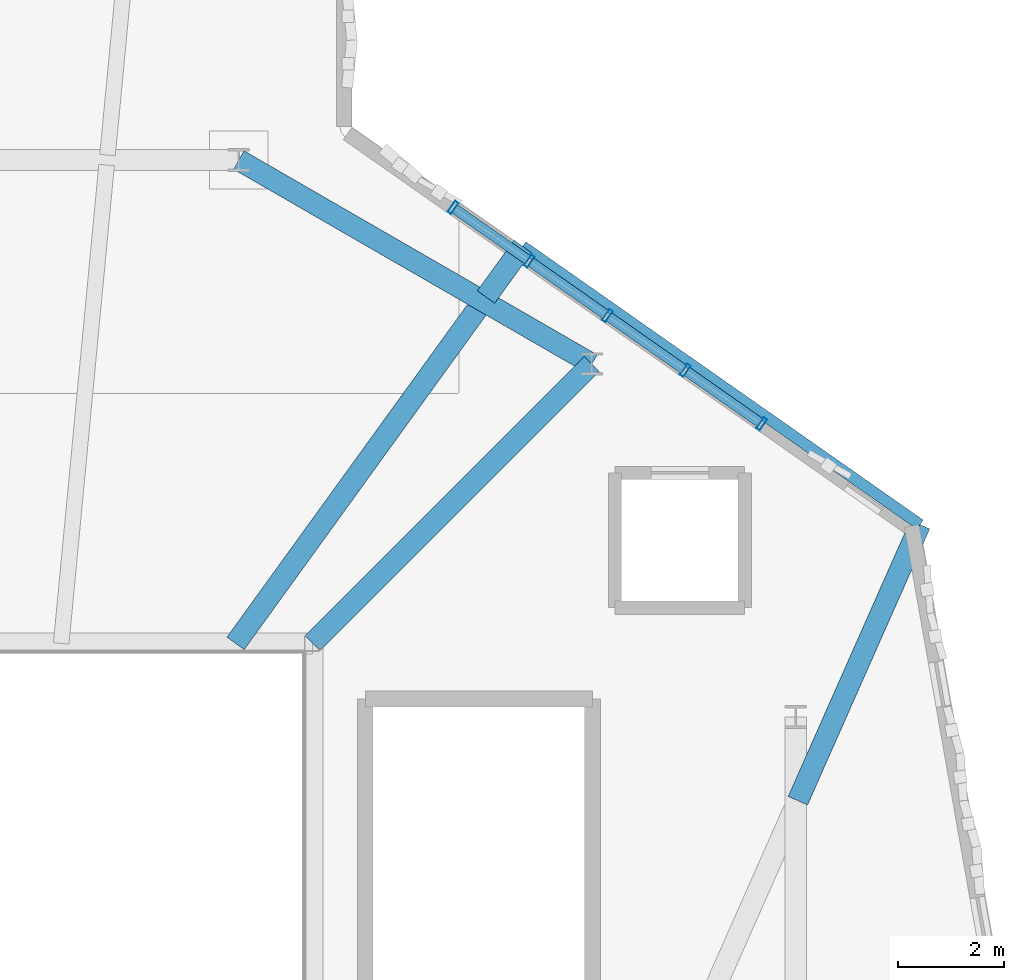
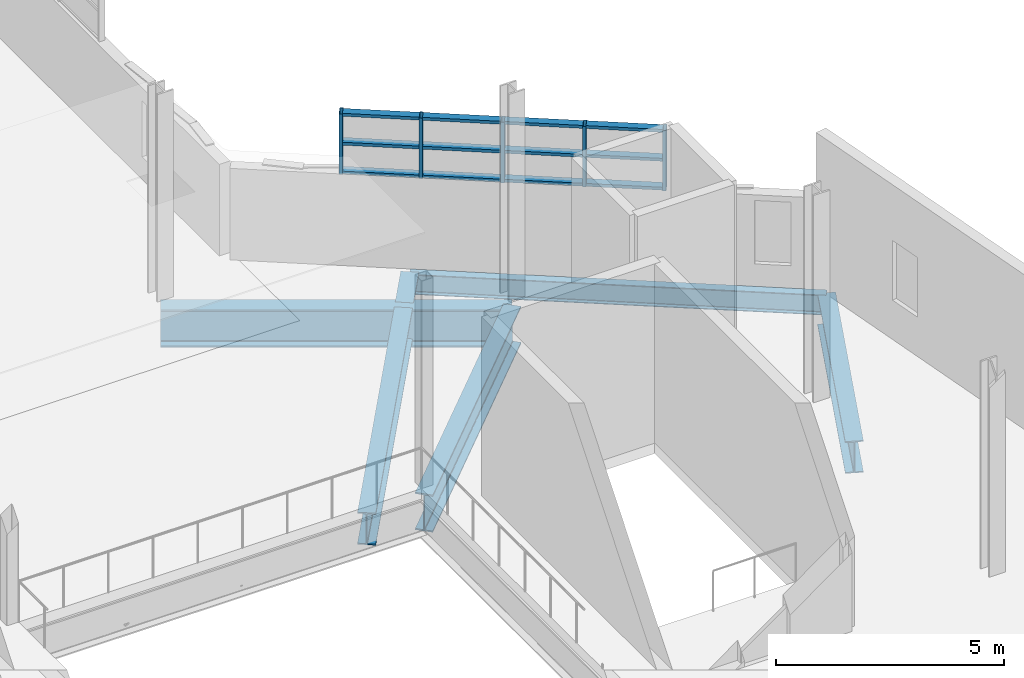
# One storey, part 10 of 36: 17 members, 6 beams, 1 element without a shape of its own.
"""IFC4 building model written with IfcOpenShell, lengths in metres."""

from ifc_helpers import new_model, si_unit, direction, frame, origin, origin_2d, place, context, subcontext, project, spatial, hollow_rectangle, i_section, extrude, material, layer, layer_set, material_profile, profile_set, type_object, element, aggregate, save


model = new_model("IFC4")

# Units and contexts
model_context = context("Model", 3, precision=1e-05, world=origin(), true_north=direction((0.0, 1.0)))
body_context = subcontext(model_context, "Body", "Model", "MODEL_VIEW")
ifc_project = project(units=[si_unit("LENGTHUNIT", "METRE"), si_unit("AREAUNIT", "SQUARE_METRE"), si_unit("VOLUMEUNIT", "CUBIC_METRE"), si_unit("PLANEANGLEUNIT", "RADIAN"), si_unit("MASSUNIT", "GRAM", prefix="KILO"), si_unit("THERMODYNAMICTEMPERATUREUNIT", "KELVIN"), si_unit("POWERUNIT", "WATT")], contexts=[model_context])

# Site, building, storey
site_placement = place(None, origin())
site = spatial("IfcSite", under=ifc_project, at=site_placement, CompositionType="ELEMENT")
building_placement = place(site_placement, origin())
building = spatial("IfcBuilding", under=site, at=building_placement, Name="Zelmaris Science Centre", CompositionType="ELEMENT")
storey_placement = place(building_placement, frame((0.0, 0.0, 25.199951171875)))
storey = spatial("IfcBuildingStorey", under=building, at=storey_placement, Name="L05", CompositionType="ELEMENT", Elevation=25.199951171875)

# Curtain wall, members
ifc_material_1 = material(Name="Anodised architectural aluminium 6063-T6", Category="aluminium")
ifc_layer = layer(ifc_material_1, 0.18994140625, Name="Anodised architectural aluminium 6063-T6")
ifc_layer_set = layer_set([ifc_layer], Name="Anodised architectural aluminium 6063-T6")
curtain_wall_type = type_object("IfcCurtainWallType", Name="Curtain Wall CW-01", PredefinedType="USERDEFINED", material=ifc_layer_set)
curtain_wall_placement = place(storey_placement, origin())
curtain_wall = element("IfcCurtainWall", 1, at=curtain_wall_placement, inside=storey, type_object=curtain_wall_type, Name="L05 Clerestory curtain wall 369", ObjectType="GLAZED CURTAIN WALL", PredefinedType="USERDEFINED")
ifc_material_profile_1 = material_profile(ifc_material_1, hollow_rectangle(XDim=0.080078125, YDim=0.25, WallThickness=0.0048828125, at=origin_2d()), Name="ALU-MUL-80X250")
ifc_profile_set_1 = profile_set([ifc_material_profile_1], Name="Anodised architectural aluminium 6063-T6")
member_type_1 = type_object("IfcMemberType", Name="ALU-MUL-80X250", PredefinedType="MULLION", material=ifc_profile_set_1)
member_1_placement = place(storey_placement, frame((88.90966796875, 49.493408203125, 2.420166015625), z_axis=(0.0, 0.0, 1.0), x_axis=(0.818852609922, -0.574003835548, 0.0)))
member_1 = element("IfcMember", 2, at=member_1_placement, type_object=member_type_1, Name="CW-01 mullion 1", PredefinedType="MULLION", context=body_context, shape_type="SweptSolid", body=[
    extrude(hollow_rectangle(XDim=0.080078125, YDim=0.25, WallThickness=0.0048828125, at=origin_2d()), origin(), (0.0, 0.0, 1.0), 1.619873046875),
])
member_2_placement = place(storey_placement, frame((90.35400390625, 48.48095703125, 2.420166015625), z_axis=(0.0, 0.0, 1.0), x_axis=(0.818852609922, -0.574003835548, 0.0)))
member_2 = element("IfcMember", 3, at=member_2_placement, type_object=member_type_1, Name="CW-01 mullion 2", PredefinedType="MULLION", context=body_context, shape_type="SweptSolid", body=[
    extrude(hollow_rectangle(XDim=0.080078125, YDim=0.25, WallThickness=0.0048828125, at=origin_2d()), origin(), (0.0, 0.0, 1.0), 1.619873046875),
])
member_3_placement = place(storey_placement, frame((91.828125, 47.44775390625, 2.420166015625), z_axis=(0.0, 0.0, 1.0), x_axis=(0.818852609922, -0.574003835548, 0.0)))
member_3 = element("IfcMember", 4, at=member_3_placement, type_object=member_type_1, Name="CW-01 mullion 3", PredefinedType="MULLION", context=body_context, shape_type="SweptSolid", body=[
    extrude(hollow_rectangle(XDim=0.080078125, YDim=0.25, WallThickness=0.0048828125, at=origin_2d()), origin(), (0.0, 0.0, 1.0), 1.619873046875),
])
member_4_placement = place(storey_placement, frame((93.302001953125, 46.41455078125, 2.420166015625), z_axis=(0.0, 0.0, 1.0), x_axis=(0.818852609922, -0.574003835548, 0.0)))
member_4 = element("IfcMember", 5, at=member_4_placement, type_object=member_type_1, Name="CW-01 mullion 4", PredefinedType="MULLION", context=body_context, shape_type="SweptSolid", body=[
    extrude(hollow_rectangle(XDim=0.080078125, YDim=0.25, WallThickness=0.0048828125, at=origin_2d()), origin(), (0.0, 0.0, 1.0), 1.619873046875),
])
member_5_placement = place(storey_placement, frame((94.746337890625, 45.40185546875, 2.420166015625), z_axis=(0.0, 0.0, 1.0), x_axis=(0.818852609922, -0.574003835548, 0.0)))
member_5 = element("IfcMember", 6, at=member_5_placement, type_object=member_type_1, Name="CW-01 mullion 5", PredefinedType="MULLION", context=body_context, shape_type="SweptSolid", body=[
    extrude(hollow_rectangle(XDim=0.080078125, YDim=0.25, WallThickness=0.0048828125, at=origin_2d()), origin(), (0.0, 0.0, 1.0), 1.619873046875),
])
ifc_material_profile_2 = material_profile(ifc_material_1, hollow_rectangle(XDim=0.080078125, YDim=0.18994140625, WallThickness=0.00439453125, at=origin_2d()), Name="ALU-TRN-80X190")
ifc_profile_set_2 = profile_set([ifc_material_profile_2], Name="Anodised architectural aluminium 6063-T6")
member_type_2 = type_object("IfcMemberType", Name="ALU-TRN-80X190", PredefinedType="USERDEFINED", material=ifc_profile_set_2)
member_6_placement = place(storey_placement, frame((88.939208984375, 49.47265625, 2.4560546875), z_axis=(0.818858911519, -0.573994845819, 0.0), x_axis=(0.0, 0.0, 1.0)))
member_6 = element("IfcMember", 7, at=member_6_placement, type_object=member_type_2, Name="CW-01 transom 1.1", ObjectType="TRANSOM", PredefinedType="USERDEFINED", context=body_context, shape_type="SweptSolid", body=[
    extrude(hollow_rectangle(XDim=0.080078125, YDim=0.18994140625, WallThickness=0.00439453125, at=origin_2d()), origin(), (0.0, 0.0, 1.0), 1.69189453125),
])
member_7_placement = place(storey_placement, frame((88.939208984375, 49.47265625, 3.22998046875), z_axis=(0.818858911519, -0.573994845819, 0.0), x_axis=(0.0, 0.0, 1.0)))
member_7 = element("IfcMember", 8, at=member_7_placement, type_object=member_type_2, Name="CW-01 transom 1.2", ObjectType="TRANSOM", PredefinedType="USERDEFINED", context=body_context, shape_type="SweptSolid", body=[
    extrude(hollow_rectangle(XDim=0.080078125, YDim=0.18994140625, WallThickness=0.00439453125, at=origin_2d()), origin(), (0.0, 0.0, 1.0), 1.69189453125),
])
member_8_placement = place(storey_placement, frame((88.939208984375, 49.47265625, 4.004150390625), z_axis=(0.818858911519, -0.573994845819, 0.0), x_axis=(0.0, 0.0, 1.0)))
member_8 = element("IfcMember", 9, at=member_8_placement, type_object=member_type_2, Name="CW-01 transom 1.3", ObjectType="TRANSOM", PredefinedType="USERDEFINED", context=body_context, shape_type="SweptSolid", body=[
    extrude(hollow_rectangle(XDim=0.080078125, YDim=0.18994140625, WallThickness=0.00439453125, at=origin_2d()), origin(), (0.0, 0.0, 1.0), 1.69189453125),
])
member_9_placement = place(storey_placement, frame((90.383544921875, 48.460205078125, 2.4560546875), z_axis=(0.818846777329, -0.574012156019, 0.0), x_axis=(0.0, 0.0, 1.0)))
member_9 = element("IfcMember", 10, at=member_9_placement, type_object=member_type_2, Name="CW-01 transom 2.1", ObjectType="TRANSOM", PredefinedType="USERDEFINED", context=body_context, shape_type="SweptSolid", body=[
    extrude(hollow_rectangle(XDim=0.080078125, YDim=0.18994140625, WallThickness=0.00439453125, at=origin_2d()), origin(), (0.0, 0.0, 1.0), 1.72802734375),
])
member_10_placement = place(storey_placement, frame((90.383544921875, 48.460205078125, 3.22998046875), z_axis=(0.818846777329, -0.574012156019, 0.0), x_axis=(0.0, 0.0, 1.0)))
member_10 = element("IfcMember", 11, at=member_10_placement, type_object=member_type_2, Name="CW-01 transom 2.2", ObjectType="TRANSOM", PredefinedType="USERDEFINED", context=body_context, shape_type="SweptSolid", body=[
    extrude(hollow_rectangle(XDim=0.080078125, YDim=0.18994140625, WallThickness=0.00439453125, at=origin_2d()), origin(), (0.0, 0.0, 1.0), 1.72802734375),
])
member_11_placement = place(storey_placement, frame((90.383544921875, 48.460205078125, 4.004150390625), z_axis=(0.818846777329, -0.574012156019, 0.0), x_axis=(0.0, 0.0, 1.0)))
member_11 = element("IfcMember", 12, at=member_11_placement, type_object=member_type_2, Name="CW-01 transom 2.3", ObjectType="TRANSOM", PredefinedType="USERDEFINED", context=body_context, shape_type="SweptSolid", body=[
    extrude(hollow_rectangle(XDim=0.080078125, YDim=0.18994140625, WallThickness=0.00439453125, at=origin_2d()), origin(), (0.0, 0.0, 1.0), 1.72802734375),
])
member_12_placement = place(storey_placement, frame((91.857421875, 47.427001953125, 2.4560546875), z_axis=(0.818846777329, -0.574012156019, 0.0), x_axis=(0.0, 0.0, 1.0)))
member_12 = element("IfcMember", 13, at=member_12_placement, type_object=member_type_2, Name="CW-01 transom 3.1", ObjectType="TRANSOM", PredefinedType="USERDEFINED", context=body_context, shape_type="SweptSolid", body=[
    extrude(hollow_rectangle(XDim=0.080078125, YDim=0.18994140625, WallThickness=0.00439453125, at=origin_2d()), origin(), (0.0, 0.0, 1.0), 1.72802734375),
])
member_13_placement = place(storey_placement, frame((91.857421875, 47.427001953125, 3.22998046875), z_axis=(0.818846777329, -0.574012156019, 0.0), x_axis=(0.0, 0.0, 1.0)))
member_13 = element("IfcMember", 14, at=member_13_placement, type_object=member_type_2, Name="CW-01 transom 3.2", ObjectType="TRANSOM", PredefinedType="USERDEFINED", context=body_context, shape_type="SweptSolid", body=[
    extrude(hollow_rectangle(XDim=0.080078125, YDim=0.18994140625, WallThickness=0.00439453125, at=origin_2d()), origin(), (0.0, 0.0, 1.0), 1.72802734375),
])
member_14_placement = place(storey_placement, frame((91.857421875, 47.427001953125, 4.004150390625), z_axis=(0.818846777329, -0.574012156019, 0.0), x_axis=(0.0, 0.0, 1.0)))
member_14 = element("IfcMember", 15, at=member_14_placement, type_object=member_type_2, Name="CW-01 transom 3.3", ObjectType="TRANSOM", PredefinedType="USERDEFINED", context=body_context, shape_type="SweptSolid", body=[
    extrude(hollow_rectangle(XDim=0.080078125, YDim=0.18994140625, WallThickness=0.00439453125, at=origin_2d()), origin(), (0.0, 0.0, 1.0), 1.72802734375),
])
member_15_placement = place(storey_placement, frame((93.33154296875, 46.393798828125, 2.4560546875), z_axis=(0.818858911519, -0.573994845819, 0.0), x_axis=(0.0, 0.0, 1.0)))
member_15 = element("IfcMember", 16, at=member_15_placement, type_object=member_type_2, Name="CW-01 transom 4.1", ObjectType="TRANSOM", PredefinedType="USERDEFINED", context=body_context, shape_type="SweptSolid", body=[
    extrude(hollow_rectangle(XDim=0.080078125, YDim=0.18994140625, WallThickness=0.00439453125, at=origin_2d()), origin(), (0.0, 0.0, 1.0), 1.69189453125),
])
member_16_placement = place(storey_placement, frame((93.33154296875, 46.393798828125, 3.22998046875), z_axis=(0.818858911519, -0.573994845819, 0.0), x_axis=(0.0, 0.0, 1.0)))
member_16 = element("IfcMember", 17, at=member_16_placement, type_object=member_type_2, Name="CW-01 transom 4.2", ObjectType="TRANSOM", PredefinedType="USERDEFINED", context=body_context, shape_type="SweptSolid", body=[
    extrude(hollow_rectangle(XDim=0.080078125, YDim=0.18994140625, WallThickness=0.00439453125, at=origin_2d()), origin(), (0.0, 0.0, 1.0), 1.69189453125),
])
member_17_placement = place(storey_placement, frame((93.33154296875, 46.393798828125, 4.004150390625), z_axis=(0.818858911519, -0.573994845819, 0.0), x_axis=(0.0, 0.0, 1.0)))
member_17 = element("IfcMember", 18, at=member_17_placement, type_object=member_type_2, Name="CW-01 transom 4.3", ObjectType="TRANSOM", PredefinedType="USERDEFINED", context=body_context, shape_type="SweptSolid", body=[
    extrude(hollow_rectangle(XDim=0.080078125, YDim=0.18994140625, WallThickness=0.00439453125, at=origin_2d()), origin(), (0.0, 0.0, 1.0), 1.69189453125),
])
aggregate(curtain_wall, [member_1, member_2, member_3, member_4, member_5, member_6, member_7, member_8, member_9, member_10, member_11, member_12, member_13, member_14, member_15, member_16, member_17])

# Beams
ifc_material_2 = material(Name="Steel ASTM A992 Grade 50", Category="steel")
ifc_material_profile_3 = material_profile(ifc_material_2, i_section(OverallWidth=0.40087890625, OverallDepth=0.85595703125, WebThickness=0.018310546875, FlangeThickness=0.029296875, FilletRadius=0.02001953125, at=origin_2d()), Name="W33X201")
ifc_profile_set_3 = profile_set([ifc_material_profile_3], Name="Steel ASTM A992 Grade 50")
beam_type_1 = type_object("IfcBeamType", Name="Beam G-05 W33X201", PredefinedType="BEAM", material=ifc_profile_set_3)
beam_1_placement = place(storey_placement, frame((95.430908203125, 38.2744140625, -0.7080078125), z_axis=(0.404761760912, 0.914422176516, 0.0), x_axis=(-0.914422176516, 0.404761760912, 0.0)))
element("IfcBeam", 19, at=beam_1_placement, inside=storey, type_object=beam_type_1, Name="L05 Radial overhang girder 4", PredefinedType="BEAM", context=body_context, shape_type="SweptSolid", body=[
    extrude(i_section(OverallWidth=0.40087890625, OverallDepth=0.85595703125, WebThickness=0.018310546875, FlangeThickness=0.029296875, FilletRadius=0.02001953125, at=origin_2d()), origin(), (0.0, 0.0, 1.0), 5.71142578125),
])
ifc_material_profile_4 = material_profile(ifc_material_2, i_section(OverallWidth=0.40087890625, OverallDepth=1.0009765625, WebThickness=0.01904296875, FlangeThickness=0.0361328125, FilletRadius=0.02490234375, at=origin_2d()), Name="W40X249")
ifc_profile_set_4 = profile_set([ifc_material_profile_4], Name="Steel ASTM A992 Grade 50")
beam_type_2 = type_object("IfcBeamType", Name="Beam G-22 W40X249", PredefinedType="BEAM", material=ifc_profile_set_4)
beam_2_placement = place(storey_placement, frame((91.535888671875, 46.535888671875, -0.780517578125), z_axis=(-0.866021648359, 0.500006504531, 0.0), x_axis=(-0.500006504531, -0.866021648359, 0.0)))
element("IfcBeam", 20, at=beam_2_placement, inside=storey, type_object=beam_type_2, Name="L05 Exhibition inner ring girder 2", PredefinedType="BEAM", context=body_context, shape_type="SweptSolid", body=[
    extrude(i_section(OverallWidth=0.40087890625, OverallDepth=1.0009765625, WebThickness=0.01904296875, FlangeThickness=0.0361328125, FilletRadius=0.02490234375, at=origin_2d()), origin(), (0.0, 0.0, 1.0), 7.712890625),
])
beam_3_placement = place(storey_placement, frame((86.25, 41.25, -0.780517578125), z_axis=(0.707106781187, 0.707106781187, 0.0), x_axis=(-0.707106781187, 0.707106781187, 0.0)))
element("IfcBeam", 21, at=beam_3_placement, inside=storey, type_object=beam_type_2, Name="L05 Atrium diagonal header girder 3", PredefinedType="BEAM", context=body_context, shape_type="SweptSolid", body=[
    extrude(i_section(OverallWidth=0.40087890625, OverallDepth=1.0009765625, WebThickness=0.01904296875, FlangeThickness=0.0361328125, FilletRadius=0.02490234375, at=origin_2d()), origin(), (0.0, 0.0, 1.0), 7.475341796875),
])
ifc_material_profile_5 = material_profile(ifc_material_2, i_section(OverallWidth=0.404052734375, OverallDepth=0.861083984375, WebThickness=0.019775390625, FlangeThickness=0.032470703125, FilletRadius=0.02001953125, at=origin_2d()), Name="W33X221")
ifc_profile_set_5 = profile_set([ifc_material_profile_5], Name="Steel ASTM A992 Grade 50")
beam_type_3 = type_object("IfcBeamType", Name="Beam G-28 W33X221", PredefinedType="BEAM", material=ifc_profile_set_5)
beam_4_placement = place(storey_placement, frame((84.79638671875, 41.25, -0.71044921875), z_axis=(0.585985009263, 0.810321892163, 0.0), x_axis=(-0.810321892163, 0.585985009263, 0.0)))
element("IfcBeam", 22, at=beam_4_placement, inside=storey, type_object=beam_type_3, Name="L05 Overhang back-span girder 5", PredefinedType="BEAM", context=body_context, shape_type="SweptSolid", body=[
    extrude(i_section(OverallWidth=0.404052734375, OverallDepth=0.861083984375, WebThickness=0.019775390625, FlangeThickness=0.032470703125, FilletRadius=0.02001953125, at=origin_2d()), origin(), (0.0, 0.0, 1.0), 7.894287109375),
])
beam_5_placement = place(storey_placement, frame((89.53369140625, 47.801025390625, -0.71044921875), z_axis=(0.586010263738, 0.810303628767, 0.0), x_axis=(-0.810303628767, 0.586010263738, 0.0)))
element("IfcBeam", 23, at=beam_5_placement, inside=storey, type_object=beam_type_3, Name="L05 Radial overhang girder 5", PredefinedType="BEAM", context=body_context, shape_type="SweptSolid", body=[
    extrude(i_section(OverallWidth=0.404052734375, OverallDepth=0.861083984375, WebThickness=0.019775390625, FlangeThickness=0.032470703125, FilletRadius=0.02001953125, at=origin_2d()), origin(), (0.0, 0.0, 1.0), 1.18310546875),
])
ifc_material_profile_6 = material_profile(ifc_material_2, i_section(OverallWidth=0.2109375, OverallDepth=0.5380859375, WebThickness=0.01171875, FlangeThickness=0.018798828125, FilletRadius=0.013916015625, at=origin_2d()), Name="W21X73")
ifc_profile_set_6 = profile_set([ifc_material_profile_6], Name="Steel ASTM A992 Grade 50")
beam_type_4 = type_object("IfcBeamType", Name="Beam SP-02 W21X73", PredefinedType="SPANDREL", material=ifc_profile_set_6)
beam_6_placement = place(storey_placement, frame((97.74267578125, 43.4970703125, -0.549072265625), z_axis=(-0.819150657359, 0.573578417087, 0.0), x_axis=(-0.573578417087, -0.819150657359, 0.0)))
element("IfcBeam", 24, at=beam_6_placement, inside=storey, type_object=beam_type_4, Name="L05 Rotated facade spandrel beam 1", PredefinedType="SPANDREL", context=body_context, shape_type="SweptSolid", body=[
    extrude(i_section(OverallWidth=0.2109375, OverallDepth=0.5380859375, WebThickness=0.01171875, FlangeThickness=0.018798828125, FilletRadius=0.013916015625, at=origin_2d()), origin(), (0.0, 0.0, 1.0), 9.17529296875),
])

save(model, "model.ifc")
